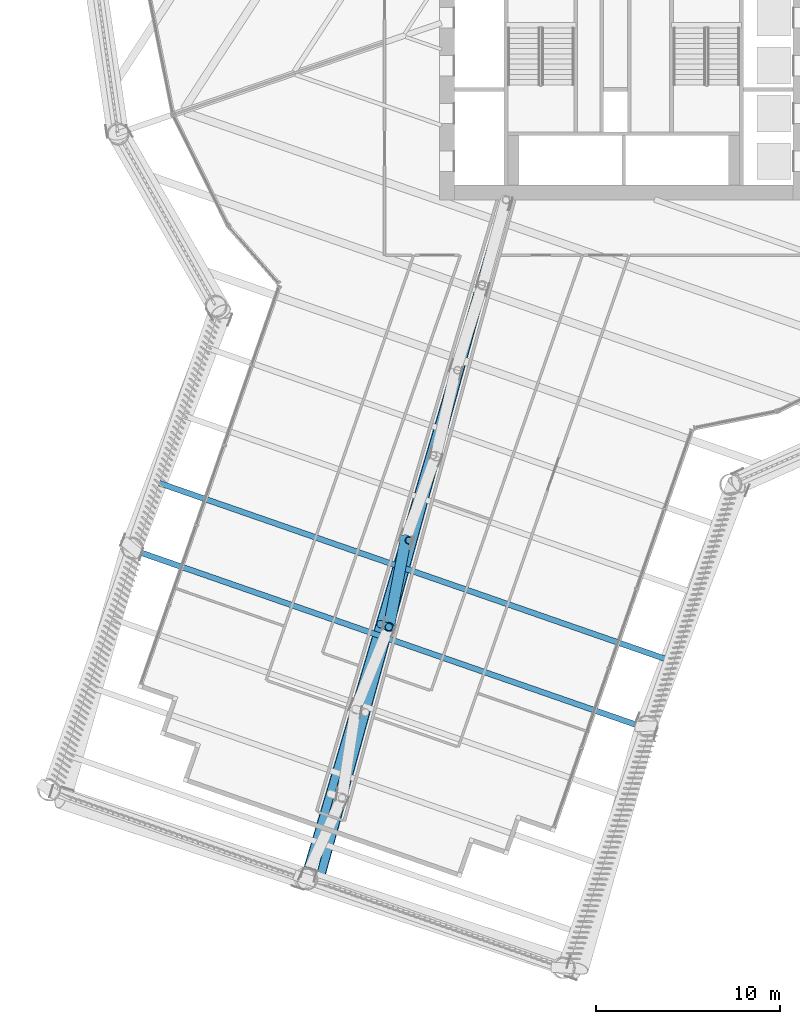
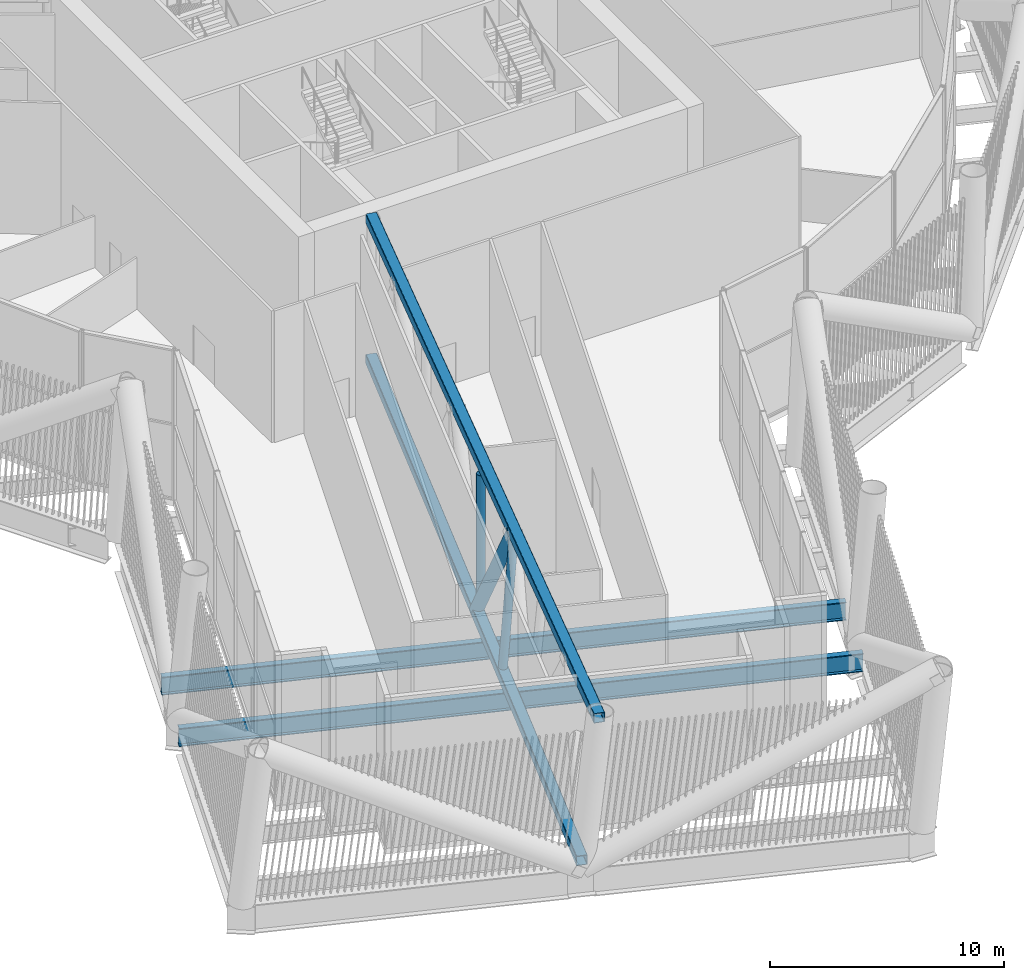
# One storey, part 6 of 63: 5 members, 2 beams.
"""IFC4 building model written with IfcOpenShell, lengths in metres."""

from ifc_helpers import new_model, si_unit, direction, frame, origin, origin_2d, place, context, subcontext, project, spatial, hollow_rectangle, hollow_circle, i_section, extrude, material, material_profile, profile_set, type_object, element, save


model = new_model("IFC4")

# Units and contexts
model_context = context("Model", 3, precision=1e-05, world=origin(), true_north=direction((0.0, 1.0)))
body_context = subcontext(model_context, "Body", "Model", "MODEL_VIEW")
ifc_project = project(units=[si_unit("LENGTHUNIT", "METRE"), si_unit("AREAUNIT", "SQUARE_METRE"), si_unit("VOLUMEUNIT", "CUBIC_METRE"), si_unit("PLANEANGLEUNIT", "RADIAN"), si_unit("MASSUNIT", "GRAM", prefix="KILO")], contexts=[model_context])

# Site, building, storey
site_placement = place(None, origin())
site = spatial("IfcSite", under=ifc_project, at=site_placement, CompositionType="ELEMENT")
building_placement = place(site_placement, origin())
building = spatial("IfcBuilding", under=site, at=building_placement, Name="Tarsis Ring Headquarters", CompositionType="ELEMENT")
storey_placement = place(building_placement, frame((0.0, 0.0, 139.60009765625)))
storey = spatial("IfcBuildingStorey", under=building, at=storey_placement, Name="L32", CompositionType="ELEMENT", Elevation=139.60009765625)

# Beams
ifc_material = material(Name="Structural steel S355", Category="steel")
ifc_material_profile_1 = material_profile(ifc_material, i_section(OverallWidth=0.309814453125, OverallDepth=0.949951171875, WebThickness=0.0244140625, FlangeThickness=0.0439453125, at=origin_2d()), Name="W36x256")
ifc_profile_set_1 = profile_set([ifc_material_profile_1], Name="Structural steel S355")
beam_type = type_object("IfcBeamType", Name="FB Floor beam W36x256", PredefinedType="JOIST", material=ifc_profile_set_1)
for number, where, z_axis, x_axis, name in (
    (1, (-25.58056640625, -28.270263671875, -0.775146484375), (0.944605279281, -0.328208571422, 0.0), (0.328208571422, 0.944605279281, 0.0), "Floor beam FB11"),
    (2, (-26.860595703125, -31.954345703125, -0.775146484375), (0.944605279281, -0.328208571422, 0.0), (0.328208571422, 0.944605279281, 0.0), "Floor beam FB11"),
):
    element("IfcBeam", number, at=place(storey_placement, frame(where, z_axis=z_axis, x_axis=x_axis)), inside=storey, type_object=beam_type, Name=name, PredefinedType="JOIST", context=body_context, shape_type="SweptSolid", body=[
        extrude(i_section(OverallWidth=0.309814453125, OverallDepth=0.949951171875, WebThickness=0.0244140625, FlangeThickness=0.0439453125, at=origin_2d()), origin(), (0.0, 0.0, 1.0), 29.77001953125),
    ])

# Members
ifc_material_profile_2 = material_profile(ifc_material, hollow_rectangle(XDim=0.508056640625, YDim=0.508056640625, WallThickness=0.025390625, InnerFilletRadius=0.025390625, OuterFilletRadius=0.05078125, at=origin_2d()), Name="HSS 508x508x25")
ifc_profile_set_2 = profile_set([ifc_material_profile_2], Name="Structural steel S355")
member_type_1 = type_object("IfcMemberType", Name="OC Outrigger chord HSS 508x508x25", PredefinedType="CHORD", material=ifc_profile_set_2)
member_1_placement = place(storey_placement, frame((-6.39990234375, -13.0, 0.25390625), z_axis=(-0.28351663282, -0.958967319002, 0.0), x_axis=(0.958967319002, -0.28351663282, 0.0)))
element("IfcMember", 3, at=member_1_placement, inside=storey, type_object=member_type_1, Name="Outrigger chord OC1", PredefinedType="CHORD", context=body_context, shape_type="SweptSolid", body=[
    extrude(hollow_rectangle(XDim=0.508056640625, YDim=0.508056640625, WallThickness=0.025390625, InnerFilletRadius=0.025390625, OuterFilletRadius=0.05078125, at=origin_2d()), origin(), (0.0, 0.0, 1.0), 38.461669921875),
])
member_2_placement = place(storey_placement, frame((-6.39990234375, -13.0, 7.5859375), z_axis=(-0.264541220643, -0.964374378849, 0.0), x_axis=(0.964374378849, -0.264541220643, 0.0)))
element("IfcMember", 4, at=member_2_placement, inside=storey, type_object=member_type_1, Name="Outrigger chord OC1", PredefinedType="CHORD", context=body_context, shape_type="SweptSolid", body=[
    extrude(hollow_rectangle(XDim=0.508056640625, YDim=0.508056640625, WallThickness=0.025390625, InnerFilletRadius=0.025390625, OuterFilletRadius=0.05078125, at=origin_2d()), origin(), (0.0, 0.0, 1.0), 38.4990234375),
])
ifc_material_profile_3 = material_profile(ifc_material, hollow_circle(Radius=0.3046875, WallThickness=0.02490234375, at=origin_2d()), Name="CHS 610x25")
ifc_profile_set_3 = profile_set([ifc_material_profile_3], Name="Structural steel S355")
member_type_2 = type_object("IfcMemberType", Name="OD Outrigger diagonal CHS 610x25", PredefinedType="BRACE", material=ifc_profile_set_3)
member_3_placement = place(storey_placement, frame((-11.852294921875, -31.44189453125, 0.25390625), z_axis=(-0.103870028573, -0.541790512676, 0.834070774897), x_axis=(0.98211401367, -0.188287185315, 0.0)))
element("IfcMember", 5, at=member_3_placement, inside=storey, type_object=member_type_2, Name="Outrigger diagonal OD1", PredefinedType="BRACE", context=body_context, shape_type="SweptSolid", body=[
    extrude(hollow_circle(Radius=0.3046875, WallThickness=0.02490234375, at=origin_2d()), origin(), (0.0, 0.0, 1.0), 8.790771484375),
])
ifc_material_profile_4 = material_profile(ifc_material, hollow_circle(Radius=0.203125, WallThickness=0.01611328125, at=origin_2d()), Name="CHS 406x16")
ifc_profile_set_4 = profile_set([ifc_material_profile_4], Name="Structural steel S355")
member_type_3 = type_object("IfcMemberType", Name="OV Outrigger post CHS 406x16", PredefinedType="STRUT", material=ifc_profile_set_4)
member_4_placement = place(storey_placement, frame((-11.672119140625, -31.502685546875, 0.5078125), z_axis=(0.0, 0.0, 1.0), x_axis=(1.0, 0.0, 0.0)))
element("IfcMember", 6, at=member_4_placement, inside=storey, type_object=member_type_3, Name="Outrigger post OV1", PredefinedType="STRUT", context=body_context, shape_type="SweptSolid", body=[
    extrude(hollow_circle(Radius=0.203125, WallThickness=0.01611328125, at=origin_2d()), origin(), (0.0, 0.0, 1.0), 6.823974609375),
])
member_5_placement = place(storey_placement, frame((-13.21533203125, -36.05224609375, 0.5078125), z_axis=(0.065777629463, -0.022270884854, 0.997585741252), x_axis=(0.320695488953, 0.947182349585, 0.0)))
element("IfcMember", 7, at=member_5_placement, inside=storey, type_object=member_type_3, Name="Outrigger post OV1", PredefinedType="STRUT", context=body_context, shape_type="SweptSolid", body=[
    extrude(hollow_circle(Radius=0.203125, WallThickness=0.01611328125, at=origin_2d()), origin(), (0.0, 0.0, 1.0), 6.840576171875),
])

save(model, "model.ifc")
